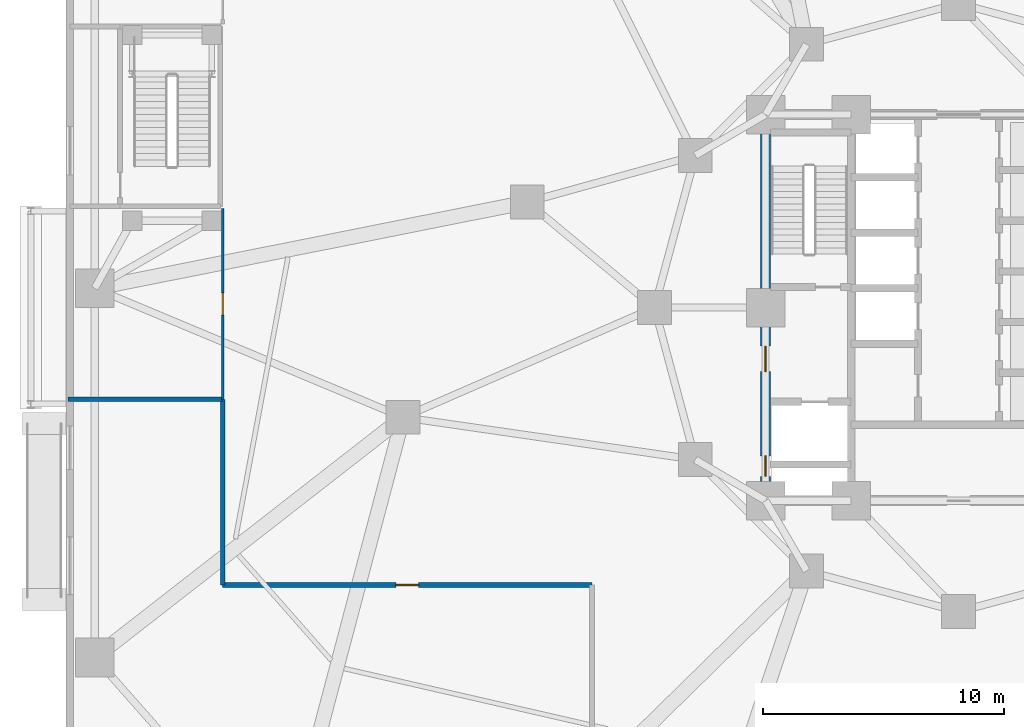
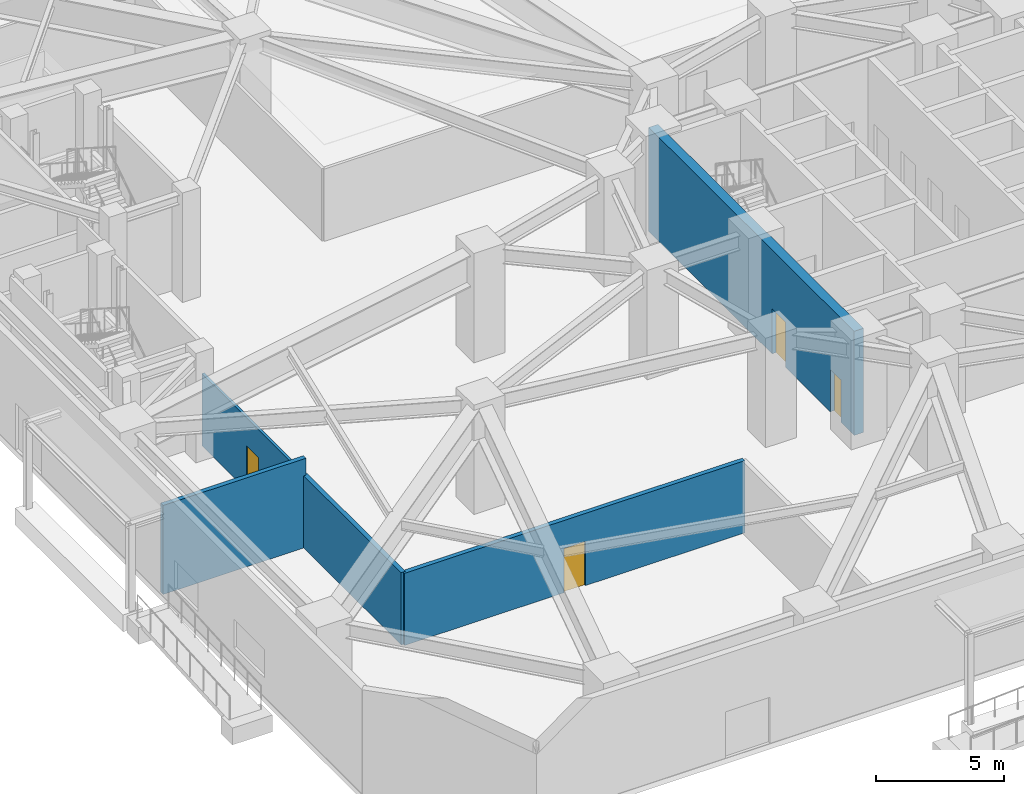
# One storey, part 16 of 30: 5 walls, 4 doors, 4 openings.
"""IFC4 building model written with IfcOpenShell, lengths in metres."""

from ifc_helpers import new_model, si_unit, direction, frame, frame_2d, origin, place, context, subcontext, project, spatial, rectangle, extrude, material, layer, layer_set, type_object, element, fill, save


model = new_model("IFC4")

# Units and contexts
model_context = context("Model", 3, precision=1e-05, world=origin(), true_north=direction((0.0, 1.0)))
body_context = subcontext(model_context, "Body", "Model", "MODEL_VIEW")
ifc_project = project(units=[si_unit("LENGTHUNIT", "METRE"), si_unit("AREAUNIT", "SQUARE_METRE"), si_unit("VOLUMEUNIT", "CUBIC_METRE"), si_unit("PLANEANGLEUNIT", "RADIAN"), si_unit("MASSUNIT", "GRAM", prefix="KILO")], contexts=[model_context])

# Site, building, storey
site_placement = place(None, origin())
site = spatial("IfcSite", under=ifc_project, at=site_placement, CompositionType="ELEMENT")
building_placement = place(site_placement, origin())
building = spatial("IfcBuilding", under=site, at=building_placement, Name="Terralouvre Media Tower", CompositionType="ELEMENT")
storey_placement = place(building_placement, origin())
storey = spatial("IfcBuildingStorey", under=building, at=storey_placement, Name="L00", CompositionType="ELEMENT", Elevation=0.0)

# Wall, openings, doors
ifc_material_1 = material(Name="Concrete C60/75", Category="concrete")
ifc_layer_1 = layer(ifc_material_1, 0.419921875, Name="Core Reinforced Concrete Shear Wall CW-420")
ifc_layer_set_1 = layer_set([ifc_layer_1], Name="Concrete C60/75")
wall_type_1 = type_object("IfcWallType", Name="Core Reinforced Concrete Shear Wall CW-420", PredefinedType="SHEAR", material=ifc_layer_set_1)
wall_1_placement = place(storey_placement, frame((-8.0, -8.0, 0.0), z_axis=(0.0, 0.0, 1.0), x_axis=(0.0, 1.0, 0.0)))
wall_1 = element("IfcWall", 1, at=wall_1_placement, inside=storey, type_object=wall_type_1, Name="L00 W Core Shear Wall", PredefinedType="SHEAR", context=body_context, shape_type="SweptSolid", body=[
    extrude(rectangle(XDim=16.0, YDim=0.419921875, at=frame_2d((8.0, 0.0))), origin(), (0.0, 0.0, 1.0), 4.949951171875),
])
opening_1_placement = place(wall_1_placement, frame((1.001708984375, 0.0, 0.0)))
opening_1 = element("IfcOpeningElement", 2, at=opening_1_placement, cuts=wall_1, Name="Opening TD-R1", PredefinedType="OPENING", context=body_context, shape_type="SweptSolid", body=[
    extrude(rectangle(XDim=0.85009765625, YDim=2.02001953125, at=frame_2d((0.425048828125, 1.010009765625))), frame((0.0, 0.219970703125, 0.0), z_axis=(0.0, -1.0, 0.0), x_axis=(1.0, 0.0, 0.0)), (0.0, 0.0, 1.0), 0.43994140625),
])
opening_2_placement = place(wall_1_placement, frame((5.35009765625, 0.0, 0.0)))
opening_2 = element("IfcOpeningElement", 3, at=opening_2_placement, cuts=wall_1, Name="Opening FD-01-105X215", PredefinedType="OPENING", context=body_context, shape_type="SweptSolid", body=[
    extrude(rectangle(XDim=1.050048828125, YDim=2.14990234375, at=frame_2d((0.52490234375, 1.074951171875))), frame((0.0, 0.219970703125, 0.0), z_axis=(0.0, -1.0, 0.0), x_axis=(1.0, 0.0, 0.0)), (0.0, 0.0, 1.0), 0.43994140625),
])
ifc_material_2 = material(Name="Galvanised steel fire-resisting leaf", Category="steel")
door_type_1 = type_object("IfcDoorType", Name="Riser Inspection Access Trapdoor TD-R1", OperationType="NOTDEFINED", PredefinedType="TRAPDOOR", material=ifc_material_2)
door_1_placement = place(opening_1_placement, origin())
door_1 = element("IfcDoor", 4, at=door_1_placement, inside=storey, type_object=door_type_1, Name="L00 Wet Riser Access Trapdoor", OperationType="SINGLE_SWING_LEFT", OverallHeight=2.02001953125, OverallWidth=0.85009765625, PredefinedType="TRAPDOOR", context=body_context, shape_type="SweptSolid", body=[
    extrude(rectangle(XDim=0.85009765625, YDim=2.02001953125, at=frame_2d((0.425048828125, 1.010009765625))), frame((0.0, 0.02490234375, 0.0), z_axis=(0.0, -1.0, 0.0), x_axis=(1.0, 0.0, 0.0)), (0.0, 0.0, 1.0), 0.050048828125),
])
fill(opening_1, door_1)
ifc_material_3 = material(Name="Galvanised steel fire-resisting leaf", Category="steel")
door_type_2 = type_object("IfcDoorType", Name="Stair and Firefighting Lobby Fire Door FD-01 (1050x2150)", OperationType="NOTDEFINED", PredefinedType="DOOR", material=ifc_material_3)
door_2_placement = place(opening_2_placement, origin())
door_2 = element("IfcDoor", 5, at=door_2_placement, inside=storey, type_object=door_type_2, Name="L00 West Firefighting Lobby Entry Door", OperationType="SINGLE_SWING_RIGHT", OverallHeight=2.14990234375, OverallWidth=1.050048828125, PredefinedType="DOOR", context=body_context, shape_type="SweptSolid", body=[
    extrude(rectangle(XDim=1.050048828125, YDim=2.14990234375, at=frame_2d((0.52490234375, 1.074951171875))), frame((0.0, 0.02490234375, 0.0), z_axis=(0.0, -1.0, 0.0), x_axis=(1.0, 0.0, 0.0)), (0.0, 0.0, 1.0), 0.050048828125),
])
fill(opening_2, door_2)

# Wall
ifc_material_4 = material(Name="Fire-rated gypsum board drywall partition")
ifc_layer_2 = layer(ifc_material_4, 0.199951171875, Name="Fire-Rated Shaft and Lobby Partition FW-200")
ifc_layer_set_2 = layer_set([ifc_layer_2], Name="Fire-rated gypsum board drywall partition")
wall_type_2 = type_object("IfcWallType", Name="Fire-Rated Shaft and Lobby Partition FW-200", PredefinedType="SOLIDWALL", material=ifc_layer_set_2)
wall_2_placement = place(storey_placement, frame((-30.5, -3.800048828125, 0.0), z_axis=(0.0, 0.0, 1.0), x_axis=(0.0, -1.0, 0.0)))
element("IfcWall", 6, at=wall_2_placement, inside=storey, type_object=wall_type_2, Name="L00 Interior Partition 001", PredefinedType="SOLIDWALL", context=body_context, shape_type="SweptSolid", body=[
    extrude(rectangle(XDim=7.699951171875, YDim=0.199951171875, at=frame_2d((3.85009765625, 0.0))), origin(), (0.0, 0.0, 1.0), 3.43505859375),
])

# Wall, opening, door
wall_3_placement = place(storey_placement, frame((-30.5, -11.5, 0.0), z_axis=(0.0, 0.0, 1.0), x_axis=(1.0, 0.0, 0.0)))
wall_3 = element("IfcWall", 7, at=wall_3_placement, inside=storey, type_object=wall_type_2, Name="L00 Interior Partition 002", PredefinedType="SOLIDWALL", context=body_context, shape_type="SweptSolid", body=[
    extrude(rectangle(XDim=15.300048828125, YDim=0.199951171875, at=frame_2d((7.64990234375, 0.0))), origin(), (0.0, 0.0, 1.0), 3.43505859375),
])
opening_3_placement = place(wall_3_placement, frame((7.175048828125, 0.0, 0.0)))
opening_3 = element("IfcOpeningElement", 8, at=opening_3_placement, cuts=wall_3, Name="Opening FD-02-95X210", PredefinedType="OPENING", context=body_context, shape_type="SweptSolid", body=[
    extrude(rectangle(XDim=0.949951171875, YDim=2.10009765625, at=frame_2d((0.47509765625, 1.050048828125))), frame((0.0, 0.10986328125, 0.0), z_axis=(0.0, -1.0, 0.0), x_axis=(1.0, 0.0, 0.0)), (0.0, 0.0, 1.0), 0.219970703125),
])
ifc_material_5 = material(Name="Galvanised steel fire-resisting leaf", Category="steel")
door_type_3 = type_object("IfcDoorType", Name="Plant and Riser Fire Door FD-02 (950x2100)", OperationType="NOTDEFINED", PredefinedType="DOOR", material=ifc_material_5)
door_3_placement = place(opening_3_placement, origin())
door_3 = element("IfcDoor", 9, at=door_3_placement, inside=storey, type_object=door_type_3, Name="L00 Fire Command Centre Door", OperationType="SINGLE_SWING_RIGHT", OverallHeight=2.10009765625, OverallWidth=0.949951171875, PredefinedType="DOOR", context=body_context, shape_type="SweptSolid", body=[
    extrude(rectangle(XDim=0.949951171875, YDim=2.10009765625, at=frame_2d((0.47509765625, 1.050048828125))), frame((0.0, 0.02490234375, 0.0), z_axis=(0.0, -1.0, 0.0), x_axis=(1.0, 0.0, 0.0)), (0.0, 0.0, 1.0), 0.050048828125),
])
fill(opening_3, door_3)

# Wall
wall_4_placement = place(storey_placement, frame((-30.5, -3.800048828125, 0.0), z_axis=(0.0, 0.0, 1.0), x_axis=(-1.0, 0.0, 0.0)))
element("IfcWall", 10, at=wall_4_placement, inside=storey, type_object=wall_type_2, Name="L00 Interior Partition 019", PredefinedType="SOLIDWALL", context=body_context, shape_type="SweptSolid", body=[
    extrude(rectangle(XDim=6.419921875, YDim=0.199951171875, at=frame_2d((3.2099609375, 0.0))), origin(), (0.0, 0.0, 1.0), 4.235107421875),
])

# Wall, opening, door
ifc_material_6 = material(Name="Fire-rated gypsum board drywall partition")
ifc_layer_3 = layer(ifc_material_6, 0.114990234375, Name="Restroom and Pantry Partition PT-115")
ifc_layer_set_3 = layer_set([ifc_layer_3], Name="Fire-rated gypsum board drywall partition")
wall_type_3 = type_object("IfcWallType", Name="Restroom and Pantry Partition PT-115", PredefinedType="PARTITIONING", material=ifc_layer_set_3)
wall_5_placement = place(storey_placement, frame((-30.5, 4.10009765625, 0.0), z_axis=(0.0, 0.0, 1.0), x_axis=(0.0, -1.0, 0.0)))
wall_5 = element("IfcWall", 11, at=wall_5_placement, inside=storey, type_object=wall_type_3, Name="L00 Interior Partition 018", PredefinedType="PARTITIONING", context=body_context, shape_type="SweptSolid", body=[
    extrude(rectangle(XDim=7.900146484375, YDim=0.114990234375, at=frame_2d((3.9501953125, 0.0))), origin(), (0.0, 0.0, 1.0), 3.43505859375),
])
opening_4_placement = place(wall_5_placement, frame((3.489990234375, 0.0, 0.0)))
opening_4 = element("IfcOpeningElement", 12, at=opening_4_placement, cuts=wall_5, Name="Opening ID-03-92X210", PredefinedType="OPENING", context=body_context, shape_type="SweptSolid", body=[
    extrude(rectangle(XDim=0.919921875, YDim=2.10009765625, at=frame_2d((0.4599609375, 1.050048828125))), frame((0.0, 0.0673828125, 0.0), z_axis=(0.0, -1.0, 0.0), x_axis=(1.0, 0.0, 0.0)), (0.0, 0.0, 1.0), 0.135009765625),
])
ifc_material_7 = material(Name="Engineered hardwood acoustic timber leaf", Category="wood")
door_type_4 = type_object("IfcDoorType", Name="Accessible Restroom and Suite Door ID-03 (920x2100)", OperationType="NOTDEFINED", PredefinedType="DOOR", material=ifc_material_7)
door_4_placement = place(opening_4_placement, origin())
door_4 = element("IfcDoor", 13, at=door_4_placement, inside=storey, type_object=door_type_4, Name="L00 Ground Public Female Restroom WC Door", OperationType="SINGLE_SWING_RIGHT", OverallHeight=2.10009765625, OverallWidth=0.919921875, PredefinedType="DOOR", context=body_context, shape_type="SweptSolid", body=[
    extrude(rectangle(XDim=0.919921875, YDim=2.10009765625, at=frame_2d((0.4599609375, 1.050048828125))), frame((0.0, 0.02490234375, 0.0), z_axis=(0.0, -1.0, 0.0), x_axis=(1.0, 0.0, 0.0)), (0.0, 0.0, 1.0), 0.050048828125),
])
fill(opening_4, door_4)

save(model, "model.ifc")
